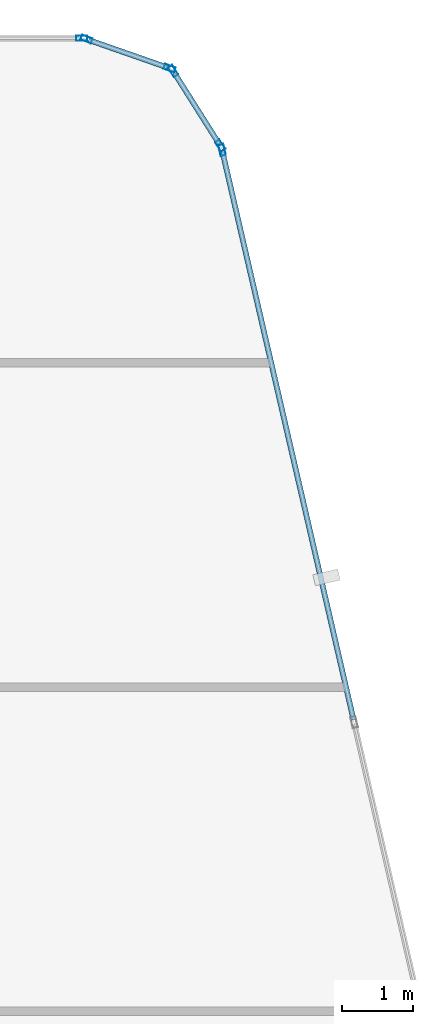
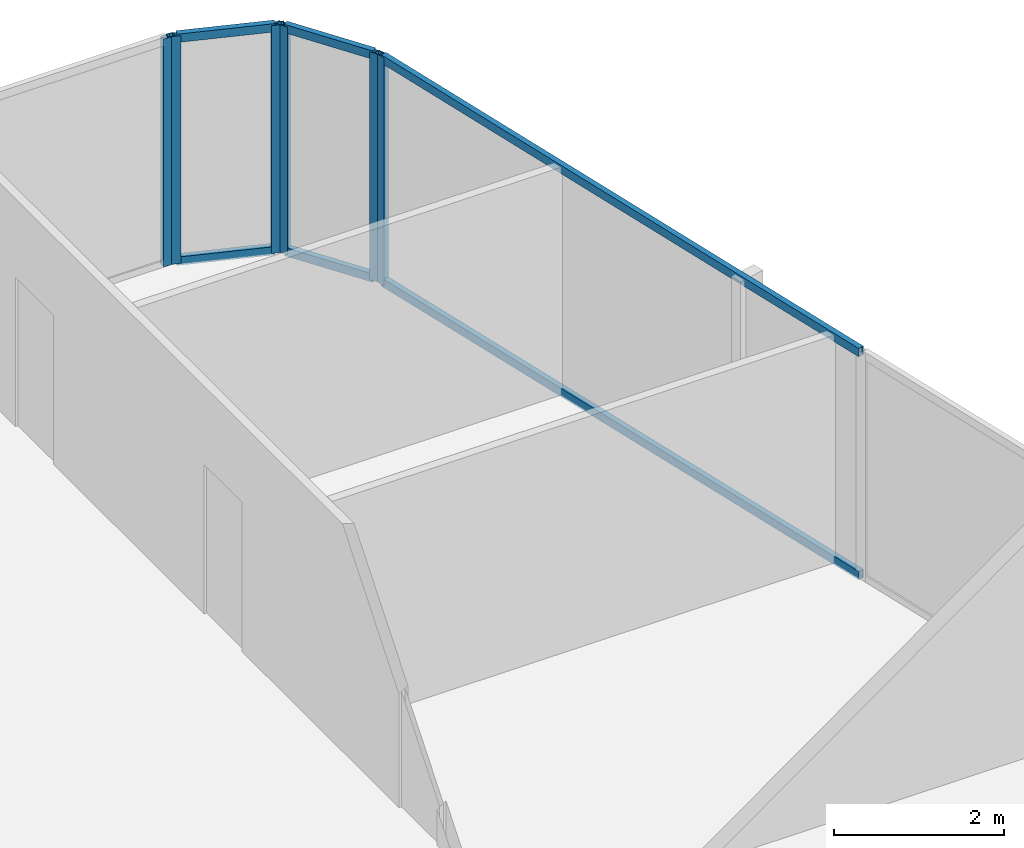
# One storey, part 21 of 28: 12 members, 4 elements without a shape of their own.
"""IFC4 building model written with IfcOpenShell, lengths in metres."""

from ifc_helpers import new_model, si_unit, direction, frame, origin, origin_2d, place, context, subcontext, project, spatial, hollow_rectangle, extrude, material, layer, layer_set, material_profile, profile_set, type_object, element, aggregate, save


model = new_model("IFC4")

# Units and contexts
model_context = context("Model", 3, precision=1e-05, world=origin(), true_north=direction((0.0, 1.0)))
body_context = subcontext(model_context, "Body", "Model", "MODEL_VIEW")
ifc_project = project(units=[si_unit("LENGTHUNIT", "METRE"), si_unit("AREAUNIT", "SQUARE_METRE"), si_unit("VOLUMEUNIT", "CUBIC_METRE"), si_unit("PLANEANGLEUNIT", "RADIAN"), si_unit("MASSUNIT", "GRAM", prefix="KILO")], contexts=[model_context])

# Site, building, storey
site_placement = place(None, origin())
site = spatial("IfcSite", under=ifc_project, at=site_placement, CompositionType="ELEMENT")
building_placement = place(site_placement, origin())
building = spatial("IfcBuilding", under=site, at=building_placement, Name="Keshet Zoharim Tower", CompositionType="ELEMENT")
storey_placement = place(building_placement, frame((0.0, 0.0, 233.89990234375)))
storey = spatial("IfcBuildingStorey", under=building, at=storey_placement, Name="L58", CompositionType="ELEMENT", Elevation=233.89990234375)

# Curtain wall, member
ifc_material = material(Name="Aluminium 6063-T6", Category="aluminium")
ifc_layer = layer(ifc_material, 0.139892578125)
ifc_layer_set = layer_set([ifc_layer], Name="Aluminium 6063-T6")
curtain_wall_type = type_object("IfcCurtainWallType", Name="CW-SYS-05", PredefinedType="NOTDEFINED", material=ifc_layer_set)
curtain_wall_1_placement = place(storey_placement, origin())
curtain_wall_1 = element("IfcCurtainWall", 1, at=curtain_wall_1_placement, inside=storey, type_object=curtain_wall_type, Name="L58 Unitised Curtain Wall 16 Part 3", PredefinedType="NOTDEFINED")
ifc_material_profile_1 = material_profile(ifc_material, hollow_rectangle(XDim=0.074951171875, YDim=0.159912109375, WallThickness=0.00390625, at=origin_2d()), Name="MUL-75x160")
ifc_profile_set_1 = profile_set([ifc_material_profile_1], Name="Aluminium 6063-T6")
member_type_1 = type_object("IfcMemberType", Name="CWM-M15", PredefinedType="MULLION", material=ifc_profile_set_1)
member_1_placement = place(storey_placement, frame((37.3740234375, 53.89990234375, 0.0), z_axis=(0.0, 0.0, 1.0), x_axis=(0.0, 1.0, 0.0)))
member_1 = element("IfcMember", 2, at=member_1_placement, type_object=member_type_1, Name="CW-05 mullion 3", PredefinedType="MULLION", context=body_context, shape_type="SweptSolid", body=[
    extrude(hollow_rectangle(XDim=0.074951171875, YDim=0.159912109375, WallThickness=0.00390625, at=origin_2d()), origin(), (0.0, 0.0, 1.0), 3.280029296875),
])
aggregate(curtain_wall_1, [member_1])

# Curtain wall, members
curtain_wall_2_placement = place(storey_placement, origin())
curtain_wall_2 = element("IfcCurtainWall", 3, at=curtain_wall_2_placement, inside=storey, type_object=curtain_wall_type, Name="L58 Unitised Curtain Wall 17", PredefinedType="NOTDEFINED")
member_2_placement = place(storey_placement, frame((37.442138671875, 53.888427734375, 0.0), z_axis=(0.0, 0.0, 1.0), x_axis=(0.329843743636, 0.944035542119, 0.0)))
member_2 = element("IfcMember", 4, at=member_2_placement, type_object=member_type_1, Name="CW-05 mullion 1", PredefinedType="MULLION", context=body_context, shape_type="SweptSolid", body=[
    extrude(hollow_rectangle(XDim=0.074951171875, YDim=0.159912109375, WallThickness=0.00390625, at=origin_2d()), origin(), (0.0, 0.0, 1.0), 3.280029296875),
])
member_3_placement = place(storey_placement, frame((38.620849609375, 53.4765625, 0.0), z_axis=(0.0, 0.0, 1.0), x_axis=(0.329843743636, 0.944035542119, 0.0)))
member_3 = element("IfcMember", 5, at=member_3_placement, type_object=member_type_1, Name="CW-05 mullion 2", PredefinedType="MULLION", context=body_context, shape_type="SweptSolid", body=[
    extrude(hollow_rectangle(XDim=0.074951171875, YDim=0.159912109375, WallThickness=0.00390625, at=origin_2d()), origin(), (0.0, 0.0, 1.0), 3.280029296875),
])

curtain_wall_3_placement = place(storey_placement, origin())
curtain_wall_3 = element("IfcCurtainWall", 6, at=curtain_wall_3_placement, inside=storey, type_object=curtain_wall_type, Name="L58 Unitised Curtain Wall 18", PredefinedType="NOTDEFINED")
member_4_placement = place(storey_placement, frame((38.672607421875, 53.435302734375, 0.0), z_axis=(0.0, 0.0, 1.0), x_axis=(0.845560976183, 0.533878858502, 0.0)))
member_4 = element("IfcMember", 7, at=member_4_placement, type_object=member_type_1, Name="CW-05 mullion 1", PredefinedType="MULLION", context=body_context, shape_type="SweptSolid", body=[
    extrude(hollow_rectangle(XDim=0.074951171875, YDim=0.159912109375, WallThickness=0.00390625, at=origin_2d()), origin(), (0.0, 0.0, 1.0), 3.280029296875),
])
member_5_placement = place(storey_placement, frame((39.33935546875, 52.379638671875, 0.0), z_axis=(0.0, 0.0, 1.0), x_axis=(0.845560976183, 0.533878858502, 0.0)))
member_5 = element("IfcMember", 8, at=member_5_placement, type_object=member_type_1, Name="CW-05 mullion 2", PredefinedType="MULLION", context=body_context, shape_type="SweptSolid", body=[
    extrude(hollow_rectangle(XDim=0.074951171875, YDim=0.159912109375, WallThickness=0.00390625, at=origin_2d()), origin(), (0.0, 0.0, 1.0), 3.280029296875),
])

# Curtain wall, member
curtain_wall_4_placement = place(storey_placement, origin())
curtain_wall_4 = element("IfcCurtainWall", 9, at=curtain_wall_4_placement, inside=storey, type_object=curtain_wall_type, Name="L58 Unitised Curtain Wall 19", PredefinedType="NOTDEFINED")
member_6_placement = place(storey_placement, frame((39.365966796875, 52.31591796875, 0.0), z_axis=(0.0, 0.0, 1.0), x_axis=(0.974393882313, 0.224847864369, 0.0)))
member_6 = element("IfcMember", 10, at=member_6_placement, type_object=member_type_1, Name="CW-05 mullion 1", PredefinedType="MULLION", context=body_context, shape_type="SweptSolid", body=[
    extrude(hollow_rectangle(XDim=0.074951171875, YDim=0.159912109375, WallThickness=0.00390625, at=origin_2d()), origin(), (0.0, 0.0, 1.0), 3.280029296875),
])

# Member
ifc_material_profile_2 = material_profile(ifc_material, hollow_rectangle(XDim=0.074951171875, YDim=0.1201171875, WallThickness=0.00390625, at=origin_2d()), Name="TRN-75x120")
ifc_profile_set_2 = profile_set([ifc_material_profile_2], Name="Aluminium 6063-T6")
member_type_2 = type_object("IfcMemberType", Name="CWT-T12", PredefinedType="USERDEFINED", material=ifc_profile_set_2)
member_7_placement = place(storey_placement, frame((37.47509765625, 53.876953125, 0.03515625), z_axis=(0.944006789648, -0.329926023675, 0.0), x_axis=(0.329926023675, 0.944006789648, 0.0)))
member_7 = element("IfcMember", 11, at=member_7_placement, type_object=member_type_2, Name="CW-05 transom 1.1", ObjectType="TRANSOM", PredefinedType="USERDEFINED", context=body_context, shape_type="SweptSolid", body=[
    extrude(hollow_rectangle(XDim=0.074951171875, YDim=0.1201171875, WallThickness=0.00390625, at=origin_2d()), origin(), (0.0, 0.0, 1.0), 1.1787109375),
])

member_8_placement = place(storey_placement, frame((37.47509765625, 53.876953125, 3.2451171875), z_axis=(0.944006789648, -0.329926023675, 0.0), x_axis=(0.329926023675, 0.944006789648, 0.0)))
member_8 = element("IfcMember", 12, at=member_8_placement, type_object=member_type_2, Name="CW-05 transom 1.2", ObjectType="TRANSOM", PredefinedType="USERDEFINED", context=body_context, shape_type="SweptSolid", body=[
    extrude(hollow_rectangle(XDim=0.074951171875, YDim=0.1201171875, WallThickness=0.00390625, at=origin_2d()), origin(), (0.0, 0.0, 1.0), 1.1787109375),
])

aggregate(curtain_wall_2, [member_2, member_3, member_7, member_8])

member_9_placement = place(storey_placement, frame((38.69140625, 53.40576171875, 0.03515625), z_axis=(0.53382931122, -0.845592257819, 0.0), x_axis=(0.845592257819, 0.53382931122, 0.0)))
member_9 = element("IfcMember", 13, at=member_9_placement, type_object=member_type_2, Name="CW-05 transom 1.1", ObjectType="TRANSOM", PredefinedType="USERDEFINED", context=body_context, shape_type="SweptSolid", body=[
    extrude(hollow_rectangle(XDim=0.074951171875, YDim=0.1201171875, WallThickness=0.00390625, at=origin_2d()), origin(), (0.0, 0.0, 1.0), 1.178466796875),
])

member_10_placement = place(storey_placement, frame((38.69140625, 53.40576171875, 3.2451171875), z_axis=(0.53382931122, -0.845592257819, 0.0), x_axis=(0.845592257819, 0.53382931122, 0.0)))
member_10 = element("IfcMember", 14, at=member_10_placement, type_object=member_type_2, Name="CW-05 transom 1.2", ObjectType="TRANSOM", PredefinedType="USERDEFINED", context=body_context, shape_type="SweptSolid", body=[
    extrude(hollow_rectangle(XDim=0.074951171875, YDim=0.1201171875, WallThickness=0.00390625, at=origin_2d()), origin(), (0.0, 0.0, 1.0), 1.178466796875),
])

aggregate(curtain_wall_3, [member_4, member_5, member_9, member_10])

member_11_placement = place(storey_placement, frame((39.373779296875, 52.28173828125, 0.03515625), z_axis=(0.224835758738, -0.974396675688, 0.0), x_axis=(0.974396675688, 0.224835758738, 0.0)))
member_11 = element("IfcMember", 15, at=member_11_placement, type_object=member_type_2, Name="CW-05 transom 1.1", ObjectType="TRANSOM", PredefinedType="USERDEFINED", context=body_context, shape_type="SweptSolid", body=[
    extrude(hollow_rectangle(XDim=0.074951171875, YDim=0.1201171875, WallThickness=0.00390625, at=origin_2d()), origin(), (0.0, 0.0, 1.0), 8.259033203125),
])

member_12_placement = place(storey_placement, frame((39.373779296875, 52.28173828125, 3.2451171875), z_axis=(0.224835758738, -0.974396675688, 0.0), x_axis=(0.974396675688, 0.224835758738, 0.0)))
member_12 = element("IfcMember", 16, at=member_12_placement, type_object=member_type_2, Name="CW-05 transom 1.2", ObjectType="TRANSOM", PredefinedType="USERDEFINED", context=body_context, shape_type="SweptSolid", body=[
    extrude(hollow_rectangle(XDim=0.074951171875, YDim=0.1201171875, WallThickness=0.00390625, at=origin_2d()), origin(), (0.0, 0.0, 1.0), 8.259033203125),
])

aggregate(curtain_wall_4, [member_6, member_11, member_12])

save(model, "model.ifc")
